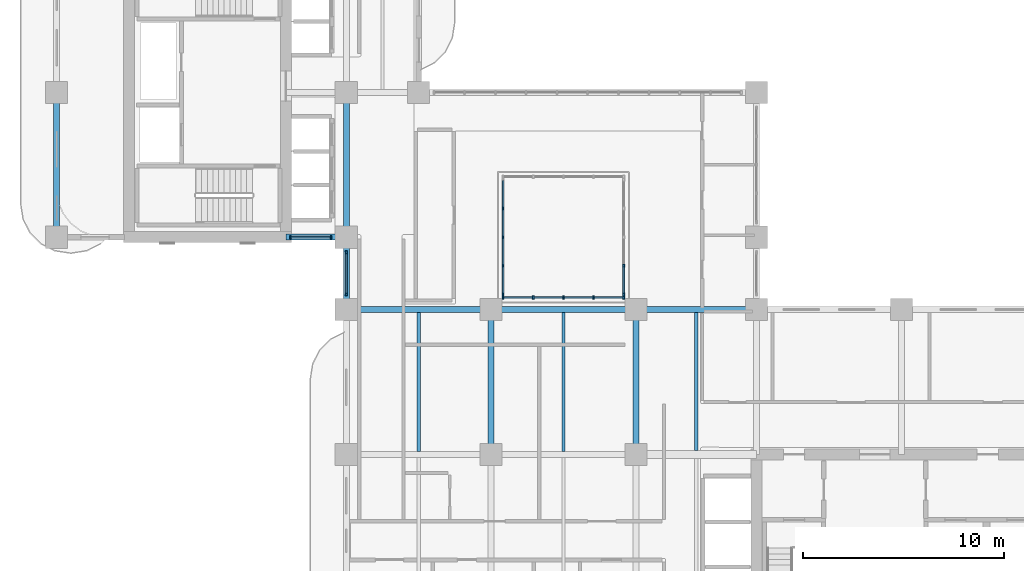
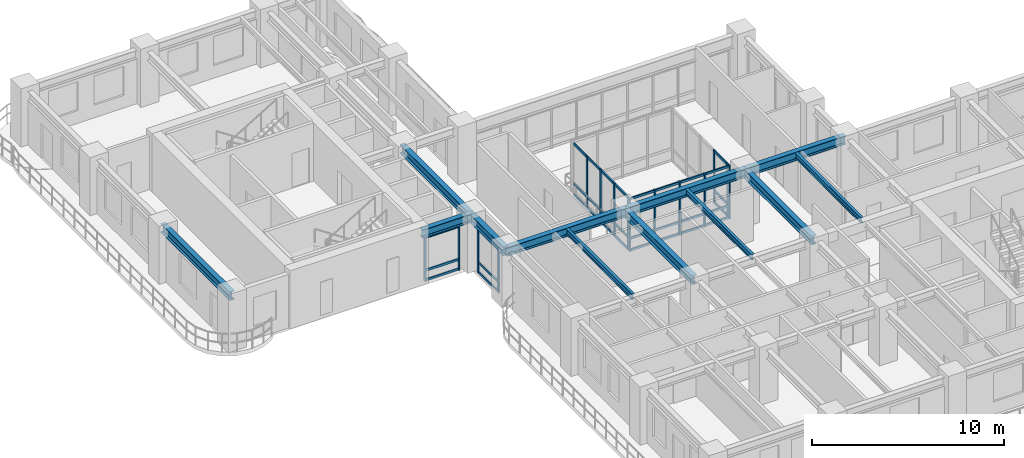
# One storey, part 2 of 19: 48 members, 12 beams, 5 elements without a shape of their own.
"""IFC4 building model written with IfcOpenShell, lengths in metres."""

from ifc_helpers import new_model, si_unit, derived_unit, direction, frame, origin, origin_2d, place, context, subcontext, project, spatial, rectangle, i_section, extrude, source, transform, mapped, material, layer, layer_set, material_profile, profile_set, type_object, type_shapes, element, aggregate, save


model = new_model("IFC4")

# Units and contexts
model_context = context("Model", 3, precision=1e-05, world=origin(), true_north=direction((0.0, 1.0)))
body_context = subcontext(model_context, "Body", "Model", "MODEL_VIEW")
ifc_project = project(units=[si_unit("LENGTHUNIT", "METRE"), si_unit("AREAUNIT", "SQUARE_METRE"), si_unit("VOLUMEUNIT", "CUBIC_METRE"), si_unit("PLANEANGLEUNIT", "RADIAN"), si_unit("MASSUNIT", "GRAM", prefix="KILO"), si_unit("THERMODYNAMICTEMPERATUREUNIT", "KELVIN"), si_unit("POWERUNIT", "WATT"), derived_unit("THERMALTRANSMITTANCEUNIT", [(si_unit("POWERUNIT", "WATT"), 1), (si_unit("AREAUNIT", "SQUARE_METRE"), -1), (si_unit("THERMODYNAMICTEMPERATUREUNIT", "KELVIN"), -1)])], contexts=[model_context])

# Site, building, storey
site_placement = place(None, origin())
site = spatial("IfcSite", under=ifc_project, at=site_placement, CompositionType="ELEMENT")
building_placement = place(site_placement, origin())
building = spatial("IfcBuilding", under=site, at=building_placement, Name="Zahravan Archway Hotel and Residences", CompositionType="ELEMENT")
storey_placement = place(building_placement, frame((0.0, 0.0, 102.699951171875)))
storey = spatial("IfcBuildingStorey", under=building, at=storey_placement, Name="L25", CompositionType="ELEMENT", Elevation=102.699951171875)

# Beams
ifc_material_1 = material(Name="Structural Steel S355JR", Category="steel")
ifc_material_profile_1 = material_profile(ifc_material_1, i_section(OverallWidth=0.300048828125, OverallDepth=0.550048828125, WebThickness=0.014892578125, FlangeThickness=0.029052734375, FilletRadius=0.027099609375, at=origin_2d()), Name="HEB 550", Category="steel")
ifc_profile_set_1 = profile_set([ifc_material_profile_1], Name="Structural Steel S355JR")
beam_type_1 = type_object("IfcBeamType", Name="BM-PRI-HEB550", PredefinedType="BEAM", material=ifc_profile_set_1)
shared_shape_1 = source(origin(), body_context, "Body", "SweptSolid", [
    extrude(i_section(OverallWidth=0.300048828125, OverallDepth=0.550048828125, WebThickness=0.014892578125, FlangeThickness=0.029052734375, FilletRadius=0.027099609375, at=origin_2d()), origin(), (0.0, 0.0, 1.0), 7.2001953125),
])
type_shapes(beam_type_1, [shared_shape_1])
for number, where, z_axis, x_axis, name in (
    (1, (14.39990234375, 21.60009765625, 3.125), (1.0, 0.0, 0.0), (0.0, 1.0, 0.0), "L25 Primary Girder EW-14"),
    (2, (21.60009765625, 14.39990234375, 3.125), (0.0, 1.0, 0.0), (-1.0, 0.0, 0.0), "L25 Primary Girder NS-42"),
    (3, (28.800048828125, 14.39990234375, 3.125), (0.0, 1.0, 0.0), (-1.0, 0.0, 0.0), "L25 Primary Girder NS-45"),
):
    element("IfcBeam", number, at=place(storey_placement, frame(where, z_axis=z_axis, x_axis=x_axis)), inside=storey, type_object=beam_type_1, Name=name, PredefinedType="BEAM", context=body_context, shape_type="MappedRepresentation", body=[
        mapped(shared_shape_1, transform((0.0, 0.0, 0.0), scale=1.0)),
    ])
shared_shape_2 = source(origin(), body_context, "Body", "SweptSolid", [
    extrude(i_section(OverallWidth=0.300048828125, OverallDepth=0.550048828125, WebThickness=0.014892578125, FlangeThickness=0.029052734375, FilletRadius=0.027099609375, at=origin_2d()), origin(), (0.0, 0.0, 1.0), 7.199951171875),
])
for number, where, z_axis, x_axis, name in (
    (4, (21.60009765625, 21.60009765625, 3.125), (1.0, 0.0, 0.0), (0.0, 1.0, 0.0), "L25 Primary Girder EW-15"),
    (5, (0.0, 25.199951171875, 3.125), (0.0, 1.0, 0.0), (-1.0, 0.0, 0.0), "L25 Primary Girder NS-29"),
    (6, (14.39990234375, 25.199951171875, 3.125), (0.0, 1.0, 0.0), (-1.0, 0.0, 0.0), "L25 Primary Girder NS-37"),
):
    element("IfcBeam", number, at=place(storey_placement, frame(where, z_axis=z_axis, x_axis=x_axis)), inside=storey, type_object=beam_type_1, Name=name, PredefinedType="BEAM", context=body_context, shape_type="MappedRepresentation", body=[
        mapped(shared_shape_2, transform((0.0, 0.0, 0.0), scale=1.0)),
    ])
shared_shape_3 = source(origin(), body_context, "Body", "SweptSolid", [
    extrude(i_section(OverallWidth=0.300048828125, OverallDepth=0.550048828125, WebThickness=0.014892578125, FlangeThickness=0.029052734375, FilletRadius=0.027099609375, at=origin_2d()), origin(), (0.0, 0.0, 1.0), 6.0),
])
beam_1_placement = place(storey_placement, frame((28.800048828125, 21.60009765625, 3.125), z_axis=(1.0, 0.0, 0.0), x_axis=(0.0, 1.0, 0.0)))
element("IfcBeam", 7, at=beam_1_placement, inside=storey, type_object=beam_type_1, Name="L25 Primary Girder EW-16", PredefinedType="BEAM", context=body_context, shape_type="MappedRepresentation", body=[
    mapped(shared_shape_3, transform((0.0, 0.0, 0.0), scale=1.0)),
])
shared_shape_4 = source(origin(), body_context, "Body", "SweptSolid", [
    extrude(i_section(OverallWidth=0.300048828125, OverallDepth=0.550048828125, WebThickness=0.014892578125, FlangeThickness=0.029052734375, FilletRadius=0.027099609375, at=origin_2d()), origin(), (0.0, 0.0, 1.0), 3.0),
])
beam_2_placement = place(storey_placement, frame((11.39990234375, 25.199951171875, 3.125), z_axis=(1.0, 0.0, 0.0), x_axis=(0.0, 1.0, 0.0)))
element("IfcBeam", 8, at=beam_2_placement, inside=storey, type_object=beam_type_1, Name="L25 Primary Girder EW-20", PredefinedType="BEAM", context=body_context, shape_type="MappedRepresentation", body=[
    mapped(shared_shape_4, transform((0.0, 0.0, 0.0), scale=1.0)),
])
shared_shape_5 = source(origin(), body_context, "Body", "SweptSolid", [
    extrude(i_section(OverallWidth=0.300048828125, OverallDepth=0.550048828125, WebThickness=0.014892578125, FlangeThickness=0.029052734375, FilletRadius=0.027099609375, at=origin_2d()), origin(), (0.0, 0.0, 1.0), 3.599853515625),
])
beam_3_placement = place(storey_placement, frame((14.39990234375, 21.60009765625, 3.125), z_axis=(0.0, 1.0, 0.0), x_axis=(-1.0, 0.0, 0.0)))
element("IfcBeam", 9, at=beam_3_placement, inside=storey, type_object=beam_type_1, Name="L25 Primary Girder NS-36", PredefinedType="BEAM", context=body_context, shape_type="MappedRepresentation", body=[
    mapped(shared_shape_5, transform((0.0, 0.0, 0.0), scale=1.0)),
])
ifc_material_profile_2 = material_profile(ifc_material_1, i_section(OverallWidth=0.169921875, OverallDepth=0.360107421875, WebThickness=0.008056640625, FlangeThickness=0.0126953125, FilletRadius=0.01806640625, at=origin_2d()), Name="IPE 360", Category="steel")
ifc_profile_set_2 = profile_set([ifc_material_profile_2], Name="Structural Steel S355JR")
beam_type_2 = type_object("IfcBeamType", Name="BM-JST-IPE360", PredefinedType="JOIST", material=ifc_profile_set_2)
shared_shape_6 = source(origin(), body_context, "Body", "SweptSolid", [
    extrude(i_section(OverallWidth=0.169921875, OverallDepth=0.360107421875, WebThickness=0.008056640625, FlangeThickness=0.0126953125, FilletRadius=0.01806640625, at=origin_2d()), origin(), (0.0, 0.0, 1.0), 6.85400390625),
])
beam_4_placement = place(storey_placement, frame((31.800048828125, 14.597900390625, 3.219970703125), z_axis=(0.0, 1.0, 0.0), x_axis=(-1.0, 0.0, 0.0)))
element("IfcBeam", 10, at=beam_4_placement, inside=storey, type_object=beam_type_2, Name="L25 Composite Floor Joist 09", PredefinedType="JOIST", context=body_context, shape_type="MappedRepresentation", body=[
    mapped(shared_shape_6, transform((0.0, 0.0, 0.0), scale=1.0)),
])
shared_shape_7 = source(origin(), body_context, "Body", "SweptSolid", [
    extrude(i_section(OverallWidth=0.169921875, OverallDepth=0.360107421875, WebThickness=0.008056640625, FlangeThickness=0.0126953125, FilletRadius=0.01806640625, at=origin_2d()), origin(), (0.0, 0.0, 1.0), 6.90380859375),
])
for number, where, z_axis, x_axis, name in (
    (11, (18.0, 14.548095703125, 3.219970703125), (0.0, 1.0, 0.0), (-1.0, 0.0, 0.0), "L25 Composite Floor Joist 10"),
    (12, (25.199951171875, 14.548095703125, 3.219970703125), (0.0, 1.0, 0.0), (-1.0, 0.0, 0.0), "L25 Composite Floor Joist 11"),
):
    element("IfcBeam", number, at=place(storey_placement, frame(where, z_axis=z_axis, x_axis=x_axis)), inside=storey, type_object=beam_type_2, Name=name, PredefinedType="JOIST", context=body_context, shape_type="MappedRepresentation", body=[
        mapped(shared_shape_7, transform((0.0, 0.0, 0.0), scale=1.0)),
    ])

# Curtain wall, members
ifc_material_2 = material(Name="Bronze-Anodized Unitised Aluminium & Low-E Glass", Category="aluminium")
ifc_layer = layer(ifc_material_2, 0.179931640625, Name="Bronze-Anodized Unitised Aluminium & Low-E Glass", Category="aluminium")
ifc_layer_set = layer_set([ifc_layer], Name="Bronze-Anodized Unitised Aluminium & Low-E Glass")
curtain_wall_type = type_object("IfcCurtainWallType", Name="CW-ATR-GLAZ", PredefinedType="NOTDEFINED", material=ifc_layer_set)
curtain_wall_1_placement = place(storey_placement, origin())
curtain_wall_1 = element("IfcCurtainWall", 13, at=curtain_wall_1_placement, inside=storey, type_object=curtain_wall_type, Name="L25 Curtain Wall CW-L25-WB-SE-1", PredefinedType="NOTDEFINED")
ifc_material_3 = material(Name="Bronze-Anodized Extruded Aluminium", Category="aluminium")
ifc_material_profile_3 = material_profile(ifc_material_3, rectangle(XDim=0.080078125, YDim=0.139892578125, at=origin_2d()), Name="TRN 80x140", Category="aluminium")
ifc_profile_set_3 = profile_set([ifc_material_profile_3], Name="Bronze-Anodized Extruded Aluminium")
member_type_1 = type_object("IfcMemberType", Name="CWM-TRN-140", PredefinedType="USERDEFINED", material=ifc_profile_set_3)
shared_shape_8 = source(origin(), body_context, "Body", "SweptSolid", [
    extrude(rectangle(XDim=0.080078125, YDim=0.139892578125, at=origin_2d()), origin(), (0.0, 0.0, 1.0), 1.940185546875),
])
member_1_placement = place(storey_placement, frame((11.659912109375, 25.199951171875, 0.070068359375), z_axis=(1.0, 0.0, 0.0), x_axis=(0.0, 1.0, 0.0)))
member_1 = element("IfcMember", 14, at=member_1_placement, type_object=member_type_1, Name="CW-L25-WB-SE-1 Transom 0-1", ObjectType="TRANSOM", PredefinedType="USERDEFINED", context=body_context, shape_type="MappedRepresentation", body=[
    mapped(shared_shape_8, transform((0.0, 0.0, 0.0), scale=1.0)),
])
member_2_placement = place(storey_placement, frame((11.659912109375, 25.199951171875, 0.680419921875), z_axis=(1.0, 0.0, 0.0), x_axis=(0.0, 1.0, 0.0)))
member_2 = element("IfcMember", 15, at=member_2_placement, type_object=member_type_1, Name="CW-L25-WB-SE-1 Transom 0-2", ObjectType="TRANSOM", PredefinedType="USERDEFINED", context=body_context, shape_type="MappedRepresentation", body=[
    mapped(shared_shape_8, transform((0.0, 0.0, 0.0), scale=1.0)),
])
member_3_placement = place(storey_placement, frame((11.659912109375, 25.199951171875, 2.76513671875), z_axis=(1.0, 0.0, 0.0), x_axis=(0.0, 1.0, 0.0)))
member_3 = element("IfcMember", 16, at=member_3_placement, type_object=member_type_1, Name="CW-L25-WB-SE-1 Transom 0-3", ObjectType="TRANSOM", PredefinedType="USERDEFINED", context=body_context, shape_type="MappedRepresentation", body=[
    mapped(shared_shape_8, transform((0.0, 0.0, 0.0), scale=1.0)),
])

curtain_wall_2_placement = place(storey_placement, origin())
curtain_wall_2 = element("IfcCurtainWall", 17, at=curtain_wall_2_placement, inside=storey, type_object=curtain_wall_type, Name="L25 Curtain Wall CW-L25-WA-WLU-1", PredefinedType="NOTDEFINED")
shared_shape_9 = source(origin(), body_context, "Body", "SweptSolid", [
    extrude(rectangle(XDim=0.080078125, YDim=0.139892578125, at=origin_2d()), origin(), (0.0, 0.0, 1.0), 2.0),
])
member_4_placement = place(storey_placement, frame((14.39990234375, 22.39990234375, 0.070068359375), z_axis=(0.0, 1.0, 0.0), x_axis=(-1.0, 0.0, 0.0)))
member_4 = element("IfcMember", 18, at=member_4_placement, type_object=member_type_1, Name="CW-L25-WA-WLU-1 Transom 0-1", ObjectType="TRANSOM", PredefinedType="USERDEFINED", context=body_context, shape_type="MappedRepresentation", body=[
    mapped(shared_shape_9, transform((0.0, 0.0, 0.0), scale=1.0)),
])
member_5_placement = place(storey_placement, frame((14.39990234375, 22.39990234375, 0.680419921875), z_axis=(0.0, 1.0, 0.0), x_axis=(-1.0, 0.0, 0.0)))
member_5 = element("IfcMember", 19, at=member_5_placement, type_object=member_type_1, Name="CW-L25-WA-WLU-1 Transom 0-2", ObjectType="TRANSOM", PredefinedType="USERDEFINED", context=body_context, shape_type="MappedRepresentation", body=[
    mapped(shared_shape_9, transform((0.0, 0.0, 0.0), scale=1.0)),
])
member_6_placement = place(storey_placement, frame((14.39990234375, 22.39990234375, 2.76513671875), z_axis=(0.0, 1.0, 0.0), x_axis=(-1.0, 0.0, 0.0)))
member_6 = element("IfcMember", 20, at=member_6_placement, type_object=member_type_1, Name="CW-L25-WA-WLU-1 Transom 0-3", ObjectType="TRANSOM", PredefinedType="USERDEFINED", context=body_context, shape_type="MappedRepresentation", body=[
    mapped(shared_shape_9, transform((0.0, 0.0, 0.0), scale=1.0)),
])

curtain_wall_3_placement = place(storey_placement, origin())
curtain_wall_3 = element("IfcCurtainWall", 21, at=curtain_wall_3_placement, inside=storey, type_object=curtain_wall_type, Name="L25 Curtain Wall CW-ATR-L25-S-1", PredefinedType="NOTDEFINED")
shared_shape_10 = source(origin(), body_context, "Body", "SweptSolid", [
    extrude(rectangle(XDim=0.080078125, YDim=0.139892578125, at=origin_2d()), origin(), (0.0, 0.0, 1.0), 1.419921875),
])
member_7_placement = place(storey_placement, frame((22.239990234375, 22.199951171875, 0.070068359375), z_axis=(1.0, 0.0, 0.0), x_axis=(0.0, 1.0, 0.0)))
member_7 = element("IfcMember", 22, at=member_7_placement, type_object=member_type_1, Name="CW-ATR-L25-S-1 Transom 0-1", ObjectType="TRANSOM", PredefinedType="USERDEFINED", context=body_context, shape_type="MappedRepresentation", body=[
    mapped(shared_shape_10, transform((0.0, 0.0, 0.0), scale=1.0)),
])
member_8_placement = place(storey_placement, frame((22.239990234375, 22.199951171875, 0.816162109375), z_axis=(1.0, 0.0, 0.0), x_axis=(0.0, 1.0, 0.0)))
member_8 = element("IfcMember", 23, at=member_8_placement, type_object=member_type_1, Name="CW-ATR-L25-S-1 Transom 0-2", ObjectType="TRANSOM", PredefinedType="USERDEFINED", context=body_context, shape_type="MappedRepresentation", body=[
    mapped(shared_shape_10, transform((0.0, 0.0, 0.0), scale=1.0)),
])
member_9_placement = place(storey_placement, frame((22.239990234375, 22.199951171875, 3.330078125), z_axis=(1.0, 0.0, 0.0), x_axis=(0.0, 1.0, 0.0)))
member_9 = element("IfcMember", 24, at=member_9_placement, type_object=member_type_1, Name="CW-ATR-L25-S-1 Transom 0-3", ObjectType="TRANSOM", PredefinedType="USERDEFINED", context=body_context, shape_type="MappedRepresentation", body=[
    mapped(shared_shape_10, transform((0.0, 0.0, 0.0), scale=1.0)),
])
member_10_placement = place(storey_placement, frame((23.739990234375, 22.199951171875, 0.070068359375), z_axis=(1.0, 0.0, 0.0), x_axis=(0.0, 1.0, 0.0)))
member_10 = element("IfcMember", 25, at=member_10_placement, type_object=member_type_1, Name="CW-ATR-L25-S-1 Transom 1-1", ObjectType="TRANSOM", PredefinedType="USERDEFINED", context=body_context, shape_type="MappedRepresentation", body=[
    mapped(shared_shape_10, transform((0.0, 0.0, 0.0), scale=1.0)),
])
member_11_placement = place(storey_placement, frame((23.739990234375, 22.199951171875, 0.816162109375), z_axis=(1.0, 0.0, 0.0), x_axis=(0.0, 1.0, 0.0)))
member_11 = element("IfcMember", 26, at=member_11_placement, type_object=member_type_1, Name="CW-ATR-L25-S-1 Transom 1-2", ObjectType="TRANSOM", PredefinedType="USERDEFINED", context=body_context, shape_type="MappedRepresentation", body=[
    mapped(shared_shape_10, transform((0.0, 0.0, 0.0), scale=1.0)),
])
member_12_placement = place(storey_placement, frame((23.739990234375, 22.199951171875, 3.330078125), z_axis=(1.0, 0.0, 0.0), x_axis=(0.0, 1.0, 0.0)))
member_12 = element("IfcMember", 27, at=member_12_placement, type_object=member_type_1, Name="CW-ATR-L25-S-1 Transom 1-3", ObjectType="TRANSOM", PredefinedType="USERDEFINED", context=body_context, shape_type="MappedRepresentation", body=[
    mapped(shared_shape_10, transform((0.0, 0.0, 0.0), scale=1.0)),
])
member_13_placement = place(storey_placement, frame((25.239990234375, 22.199951171875, 0.070068359375), z_axis=(1.0, 0.0, 0.0), x_axis=(0.0, 1.0, 0.0)))
member_13 = element("IfcMember", 28, at=member_13_placement, type_object=member_type_1, Name="CW-ATR-L25-S-1 Transom 2-1", ObjectType="TRANSOM", PredefinedType="USERDEFINED", context=body_context, shape_type="MappedRepresentation", body=[
    mapped(shared_shape_10, transform((0.0, 0.0, 0.0), scale=1.0)),
])
member_14_placement = place(storey_placement, frame((25.239990234375, 22.199951171875, 0.816162109375), z_axis=(1.0, 0.0, 0.0), x_axis=(0.0, 1.0, 0.0)))
member_14 = element("IfcMember", 29, at=member_14_placement, type_object=member_type_1, Name="CW-ATR-L25-S-1 Transom 2-2", ObjectType="TRANSOM", PredefinedType="USERDEFINED", context=body_context, shape_type="MappedRepresentation", body=[
    mapped(shared_shape_10, transform((0.0, 0.0, 0.0), scale=1.0)),
])
member_15_placement = place(storey_placement, frame((25.239990234375, 22.199951171875, 3.330078125), z_axis=(1.0, 0.0, 0.0), x_axis=(0.0, 1.0, 0.0)))
member_15 = element("IfcMember", 30, at=member_15_placement, type_object=member_type_1, Name="CW-ATR-L25-S-1 Transom 2-3", ObjectType="TRANSOM", PredefinedType="USERDEFINED", context=body_context, shape_type="MappedRepresentation", body=[
    mapped(shared_shape_10, transform((0.0, 0.0, 0.0), scale=1.0)),
])
member_16_placement = place(storey_placement, frame((26.739990234375, 22.199951171875, 0.070068359375), z_axis=(1.0, 0.0, 0.0), x_axis=(0.0, 1.0, 0.0)))
member_16 = element("IfcMember", 31, at=member_16_placement, type_object=member_type_1, Name="CW-ATR-L25-S-1 Transom 3-1", ObjectType="TRANSOM", PredefinedType="USERDEFINED", context=body_context, shape_type="MappedRepresentation", body=[
    mapped(shared_shape_10, transform((0.0, 0.0, 0.0), scale=1.0)),
])
member_17_placement = place(storey_placement, frame((26.739990234375, 22.199951171875, 0.816162109375), z_axis=(1.0, 0.0, 0.0), x_axis=(0.0, 1.0, 0.0)))
member_17 = element("IfcMember", 32, at=member_17_placement, type_object=member_type_1, Name="CW-ATR-L25-S-1 Transom 3-2", ObjectType="TRANSOM", PredefinedType="USERDEFINED", context=body_context, shape_type="MappedRepresentation", body=[
    mapped(shared_shape_10, transform((0.0, 0.0, 0.0), scale=1.0)),
])
member_18_placement = place(storey_placement, frame((26.739990234375, 22.199951171875, 3.330078125), z_axis=(1.0, 0.0, 0.0), x_axis=(0.0, 1.0, 0.0)))
member_18 = element("IfcMember", 33, at=member_18_placement, type_object=member_type_1, Name="CW-ATR-L25-S-1 Transom 3-3", ObjectType="TRANSOM", PredefinedType="USERDEFINED", context=body_context, shape_type="MappedRepresentation", body=[
    mapped(shared_shape_10, transform((0.0, 0.0, 0.0), scale=1.0)),
])

curtain_wall_4_placement = place(storey_placement, origin())
curtain_wall_4 = element("IfcCurtainWall", 34, at=curtain_wall_4_placement, inside=storey, type_object=curtain_wall_type, Name="L25 Curtain Wall CW-ATR-L25-W-1", PredefinedType="NOTDEFINED")
shared_shape_11 = source(origin(), body_context, "Body", "SweptSolid", [
    extrude(rectangle(XDim=0.080078125, YDim=0.139892578125, at=origin_2d()), origin(), (0.0, 0.0, 1.0), 1.34521484375),
])
member_19_placement = place(storey_placement, frame((22.199951171875, 22.389892578125, 0.070068359375), z_axis=(0.0, 1.0, 0.0), x_axis=(-1.0, 0.0, 0.0)))
member_19 = element("IfcMember", 35, at=member_19_placement, type_object=member_type_1, Name="CW-ATR-L25-W-1 Transom 0-1", ObjectType="TRANSOM", PredefinedType="USERDEFINED", context=body_context, shape_type="MappedRepresentation", body=[
    mapped(shared_shape_11, transform((0.0, 0.0, 0.0), scale=1.0)),
])
member_20_placement = place(storey_placement, frame((22.199951171875, 22.389892578125, 0.816162109375), z_axis=(0.0, 1.0, 0.0), x_axis=(-1.0, 0.0, 0.0)))
member_20 = element("IfcMember", 36, at=member_20_placement, type_object=member_type_1, Name="CW-ATR-L25-W-1 Transom 0-2", ObjectType="TRANSOM", PredefinedType="USERDEFINED", context=body_context, shape_type="MappedRepresentation", body=[
    mapped(shared_shape_11, transform((0.0, 0.0, 0.0), scale=1.0)),
])
member_21_placement = place(storey_placement, frame((22.199951171875, 22.389892578125, 3.330078125), z_axis=(0.0, 1.0, 0.0), x_axis=(-1.0, 0.0, 0.0)))
member_21 = element("IfcMember", 37, at=member_21_placement, type_object=member_type_1, Name="CW-ATR-L25-W-1 Transom 0-3", ObjectType="TRANSOM", PredefinedType="USERDEFINED", context=body_context, shape_type="MappedRepresentation", body=[
    mapped(shared_shape_11, transform((0.0, 0.0, 0.0), scale=1.0)),
])

curtain_wall_5_placement = place(storey_placement, origin())
curtain_wall_5 = element("IfcCurtainWall", 38, at=curtain_wall_5_placement, inside=storey, type_object=curtain_wall_type, Name="L25 Curtain Wall CW-ATR-L25-E-1", PredefinedType="NOTDEFINED")
member_22_placement = place(storey_placement, frame((28.199951171875, 22.389892578125, 0.070068359375), z_axis=(0.0, 1.0, 0.0), x_axis=(-1.0, 0.0, 0.0)))
member_22 = element("IfcMember", 39, at=member_22_placement, type_object=member_type_1, Name="CW-ATR-L25-E-1 Transom 0-1", ObjectType="TRANSOM", PredefinedType="USERDEFINED", context=body_context, shape_type="MappedRepresentation", body=[
    mapped(shared_shape_11, transform((0.0, 0.0, 0.0), scale=1.0)),
])
member_23_placement = place(storey_placement, frame((28.199951171875, 22.389892578125, 0.816162109375), z_axis=(0.0, 1.0, 0.0), x_axis=(-1.0, 0.0, 0.0)))
member_23 = element("IfcMember", 40, at=member_23_placement, type_object=member_type_1, Name="CW-ATR-L25-E-1 Transom 0-2", ObjectType="TRANSOM", PredefinedType="USERDEFINED", context=body_context, shape_type="MappedRepresentation", body=[
    mapped(shared_shape_11, transform((0.0, 0.0, 0.0), scale=1.0)),
])
member_24_placement = place(storey_placement, frame((28.199951171875, 22.389892578125, 3.330078125), z_axis=(0.0, 1.0, 0.0), x_axis=(-1.0, 0.0, 0.0)))
member_24 = element("IfcMember", 41, at=member_24_placement, type_object=member_type_1, Name="CW-ATR-L25-E-1 Transom 0-3", ObjectType="TRANSOM", PredefinedType="USERDEFINED", context=body_context, shape_type="MappedRepresentation", body=[
    mapped(shared_shape_11, transform((0.0, 0.0, 0.0), scale=1.0)),
])

# Member
shared_shape_12 = source(origin(), body_context, "Body", "SweptSolid", [
    extrude(rectangle(XDim=0.080078125, YDim=0.139892578125, at=origin_2d()), origin(), (0.0, 0.0, 1.0), 1.344970703125),
])
member_25_placement = place(storey_placement, frame((22.199951171875, 23.81494140625, 0.070068359375), z_axis=(0.0, 1.0, 0.0), x_axis=(-1.0, 0.0, 0.0)))
member_25 = element("IfcMember", 42, at=member_25_placement, type_object=member_type_1, Name="CW-ATR-L25-W-1 Transom 1-1", ObjectType="TRANSOM", PredefinedType="USERDEFINED", context=body_context, shape_type="MappedRepresentation", body=[
    mapped(shared_shape_12, transform((0.0, 0.0, 0.0), scale=1.0)),
])

member_26_placement = place(storey_placement, frame((22.199951171875, 23.81494140625, 0.816162109375), z_axis=(0.0, 1.0, 0.0), x_axis=(-1.0, 0.0, 0.0)))
member_26 = element("IfcMember", 43, at=member_26_placement, type_object=member_type_1, Name="CW-ATR-L25-W-1 Transom 1-2", ObjectType="TRANSOM", PredefinedType="USERDEFINED", context=body_context, shape_type="MappedRepresentation", body=[
    mapped(shared_shape_12, transform((0.0, 0.0, 0.0), scale=1.0)),
])

member_27_placement = place(storey_placement, frame((22.199951171875, 23.81494140625, 3.330078125), z_axis=(0.0, 1.0, 0.0), x_axis=(-1.0, 0.0, 0.0)))
member_27 = element("IfcMember", 44, at=member_27_placement, type_object=member_type_1, Name="CW-ATR-L25-W-1 Transom 1-3", ObjectType="TRANSOM", PredefinedType="USERDEFINED", context=body_context, shape_type="MappedRepresentation", body=[
    mapped(shared_shape_12, transform((0.0, 0.0, 0.0), scale=1.0)),
])

member_28_placement = place(storey_placement, frame((22.199951171875, 25.239990234375, 0.070068359375), z_axis=(0.0, 1.0, 0.0), x_axis=(-1.0, 0.0, 0.0)))
member_28 = element("IfcMember", 45, at=member_28_placement, type_object=member_type_1, Name="CW-ATR-L25-W-1 Transom 2-1", ObjectType="TRANSOM", PredefinedType="USERDEFINED", context=body_context, shape_type="MappedRepresentation", body=[
    mapped(shared_shape_12, transform((0.0, 0.0, 0.0), scale=1.0)),
])

member_29_placement = place(storey_placement, frame((22.199951171875, 25.239990234375, 0.816162109375), z_axis=(0.0, 1.0, 0.0), x_axis=(-1.0, 0.0, 0.0)))
member_29 = element("IfcMember", 46, at=member_29_placement, type_object=member_type_1, Name="CW-ATR-L25-W-1 Transom 2-2", ObjectType="TRANSOM", PredefinedType="USERDEFINED", context=body_context, shape_type="MappedRepresentation", body=[
    mapped(shared_shape_12, transform((0.0, 0.0, 0.0), scale=1.0)),
])

member_30_placement = place(storey_placement, frame((22.199951171875, 25.239990234375, 3.330078125), z_axis=(0.0, 1.0, 0.0), x_axis=(-1.0, 0.0, 0.0)))
member_30 = element("IfcMember", 47, at=member_30_placement, type_object=member_type_1, Name="CW-ATR-L25-W-1 Transom 2-3", ObjectType="TRANSOM", PredefinedType="USERDEFINED", context=body_context, shape_type="MappedRepresentation", body=[
    mapped(shared_shape_12, transform((0.0, 0.0, 0.0), scale=1.0)),
])

member_31_placement = place(storey_placement, frame((22.199951171875, 26.6650390625, 0.070068359375), z_axis=(0.0, 1.0, 0.0), x_axis=(-1.0, 0.0, 0.0)))
member_31 = element("IfcMember", 48, at=member_31_placement, type_object=member_type_1, Name="CW-ATR-L25-W-1 Transom 3-1", ObjectType="TRANSOM", PredefinedType="USERDEFINED", context=body_context, shape_type="MappedRepresentation", body=[
    mapped(shared_shape_12, transform((0.0, 0.0, 0.0), scale=1.0)),
])

member_32_placement = place(storey_placement, frame((22.199951171875, 26.6650390625, 0.816162109375), z_axis=(0.0, 1.0, 0.0), x_axis=(-1.0, 0.0, 0.0)))
member_32 = element("IfcMember", 49, at=member_32_placement, type_object=member_type_1, Name="CW-ATR-L25-W-1 Transom 3-2", ObjectType="TRANSOM", PredefinedType="USERDEFINED", context=body_context, shape_type="MappedRepresentation", body=[
    mapped(shared_shape_12, transform((0.0, 0.0, 0.0), scale=1.0)),
])

member_33_placement = place(storey_placement, frame((22.199951171875, 26.6650390625, 3.330078125), z_axis=(0.0, 1.0, 0.0), x_axis=(-1.0, 0.0, 0.0)))
member_33 = element("IfcMember", 50, at=member_33_placement, type_object=member_type_1, Name="CW-ATR-L25-W-1 Transom 3-3", ObjectType="TRANSOM", PredefinedType="USERDEFINED", context=body_context, shape_type="MappedRepresentation", body=[
    mapped(shared_shape_12, transform((0.0, 0.0, 0.0), scale=1.0)),
])

ifc_material_profile_4 = material_profile(ifc_material_3, rectangle(XDim=0.080078125, YDim=0.159912109375, at=origin_2d()), Name="MUL 80x160", Category="aluminium")
ifc_profile_set_4 = profile_set([ifc_material_profile_4], Name="Bronze-Anodized Extruded Aluminium")
member_type_2 = type_object("IfcMemberType", Name="CWM-MUL-160", PredefinedType="MULLION", material=ifc_profile_set_4)
shared_shape_13 = source(origin(), body_context, "Body", "SweptSolid", [
    extrude(rectangle(XDim=0.080078125, YDim=0.159912109375, at=origin_2d()), origin(), (0.0, 0.0, 1.0), 2.8349609375),
])
member_34_placement = place(storey_placement, frame((14.39990234375, 22.360107421875, 0.0), z_axis=(0.0, 0.0, 1.0), x_axis=(1.0, 0.0, 0.0)))
member_34 = element("IfcMember", 51, at=member_34_placement, type_object=member_type_2, Name="CW-L25-WA-WLU-1 Mullion 0", PredefinedType="MULLION", context=body_context, shape_type="MappedRepresentation", body=[
    mapped(shared_shape_13, transform((0.0, 0.0, 0.0), scale=1.0)),
])

member_35_placement = place(storey_placement, frame((14.39990234375, 24.43994140625, 0.0), z_axis=(0.0, 0.0, 1.0), x_axis=(1.0, 0.0, 0.0)))
member_35 = element("IfcMember", 52, at=member_35_placement, type_object=member_type_2, Name="CW-L25-WA-WLU-1 Mullion 1", PredefinedType="MULLION", context=body_context, shape_type="MappedRepresentation", body=[
    mapped(shared_shape_13, transform((0.0, 0.0, 0.0), scale=1.0)),
])

aggregate(curtain_wall_2, [member_34, member_35, member_4, member_5, member_6])

member_36_placement = place(storey_placement, frame((11.6201171875, 25.199951171875, 0.0), z_axis=(0.0, 0.0, 1.0), x_axis=(1.0, 0.0, 0.0)))
member_36 = element("IfcMember", 53, at=member_36_placement, type_object=member_type_2, Name="CW-L25-WB-SE-1 Mullion 0", PredefinedType="MULLION", context=body_context, shape_type="MappedRepresentation", body=[
    mapped(shared_shape_13, transform((0.0, 0.0, 0.0), scale=1.0)),
])

member_37_placement = place(storey_placement, frame((13.639892578125, 25.199951171875, 0.0), z_axis=(0.0, 0.0, 1.0), x_axis=(1.0, 0.0, 0.0)))
member_37 = element("IfcMember", 54, at=member_37_placement, type_object=member_type_2, Name="CW-L25-WB-SE-1 Mullion 1", PredefinedType="MULLION", context=body_context, shape_type="MappedRepresentation", body=[
    mapped(shared_shape_13, transform((0.0, 0.0, 0.0), scale=1.0)),
])

aggregate(curtain_wall_1, [member_36, member_37, member_1, member_2, member_3])

shared_shape_14 = source(origin(), body_context, "Body", "SweptSolid", [
    extrude(rectangle(XDim=0.080078125, YDim=0.159912109375, at=origin_2d()), origin(), (0.0, 0.0, 1.0), 3.400146484375),
])
member_38_placement = place(storey_placement, frame((22.199951171875, 22.199951171875, 0.0), z_axis=(0.0, 0.0, 1.0), x_axis=(1.0, 0.0, 0.0)))
member_38 = element("IfcMember", 55, at=member_38_placement, type_object=member_type_2, Name="CW-ATR-L25-S-1 Mullion 0", PredefinedType="MULLION", context=body_context, shape_type="MappedRepresentation", body=[
    mapped(shared_shape_14, transform((0.0, 0.0, 0.0), scale=1.0)),
])

member_39_placement = place(storey_placement, frame((23.699951171875, 22.199951171875, 0.0), z_axis=(0.0, 0.0, 1.0), x_axis=(1.0, 0.0, 0.0)))
member_39 = element("IfcMember", 56, at=member_39_placement, type_object=member_type_2, Name="CW-ATR-L25-S-1 Mullion 1", PredefinedType="MULLION", context=body_context, shape_type="MappedRepresentation", body=[
    mapped(shared_shape_14, transform((0.0, 0.0, 0.0), scale=1.0)),
])

member_40_placement = place(storey_placement, frame((25.199951171875, 22.199951171875, 0.0), z_axis=(0.0, 0.0, 1.0), x_axis=(1.0, 0.0, 0.0)))
member_40 = element("IfcMember", 57, at=member_40_placement, type_object=member_type_2, Name="CW-ATR-L25-S-1 Mullion 2", PredefinedType="MULLION", context=body_context, shape_type="MappedRepresentation", body=[
    mapped(shared_shape_14, transform((0.0, 0.0, 0.0), scale=1.0)),
])

member_41_placement = place(storey_placement, frame((26.699951171875, 22.199951171875, 0.0), z_axis=(0.0, 0.0, 1.0), x_axis=(1.0, 0.0, 0.0)))
member_41 = element("IfcMember", 58, at=member_41_placement, type_object=member_type_2, Name="CW-ATR-L25-S-1 Mullion 3", PredefinedType="MULLION", context=body_context, shape_type="MappedRepresentation", body=[
    mapped(shared_shape_14, transform((0.0, 0.0, 0.0), scale=1.0)),
])

member_42_placement = place(storey_placement, frame((28.199951171875, 22.199951171875, 0.0), z_axis=(0.0, 0.0, 1.0), x_axis=(1.0, 0.0, 0.0)))
member_42 = element("IfcMember", 59, at=member_42_placement, type_object=member_type_2, Name="CW-ATR-L25-S-1 Mullion 4", PredefinedType="MULLION", context=body_context, shape_type="MappedRepresentation", body=[
    mapped(shared_shape_14, transform((0.0, 0.0, 0.0), scale=1.0)),
])

aggregate(curtain_wall_3, [member_38, member_39, member_40, member_41, member_42, member_7, member_8, member_9, member_10, member_11, member_12, member_13, member_14, member_15, member_16, member_17, member_18])

member_43_placement = place(storey_placement, frame((22.199951171875, 22.35009765625, 0.0), z_axis=(0.0, 0.0, 1.0), x_axis=(1.0, 0.0, 0.0)))
member_43 = element("IfcMember", 60, at=member_43_placement, type_object=member_type_2, Name="CW-ATR-L25-W-1 Mullion 0", PredefinedType="MULLION", context=body_context, shape_type="MappedRepresentation", body=[
    mapped(shared_shape_14, transform((0.0, 0.0, 0.0), scale=1.0)),
])

member_44_placement = place(storey_placement, frame((22.199951171875, 23.77490234375, 0.0), z_axis=(0.0, 0.0, 1.0), x_axis=(1.0, 0.0, 0.0)))
member_44 = element("IfcMember", 61, at=member_44_placement, type_object=member_type_2, Name="CW-ATR-L25-W-1 Mullion 1", PredefinedType="MULLION", context=body_context, shape_type="MappedRepresentation", body=[
    mapped(shared_shape_14, transform((0.0, 0.0, 0.0), scale=1.0)),
])

member_45_placement = place(storey_placement, frame((22.199951171875, 25.199951171875, 0.0), z_axis=(0.0, 0.0, 1.0), x_axis=(1.0, 0.0, 0.0)))
member_45 = element("IfcMember", 62, at=member_45_placement, type_object=member_type_2, Name="CW-ATR-L25-W-1 Mullion 2", PredefinedType="MULLION", context=body_context, shape_type="MappedRepresentation", body=[
    mapped(shared_shape_14, transform((0.0, 0.0, 0.0), scale=1.0)),
])

member_46_placement = place(storey_placement, frame((22.199951171875, 26.625, 0.0), z_axis=(0.0, 0.0, 1.0), x_axis=(1.0, 0.0, 0.0)))
member_46 = element("IfcMember", 63, at=member_46_placement, type_object=member_type_2, Name="CW-ATR-L25-W-1 Mullion 3", PredefinedType="MULLION", context=body_context, shape_type="MappedRepresentation", body=[
    mapped(shared_shape_14, transform((0.0, 0.0, 0.0), scale=1.0)),
])

aggregate(curtain_wall_4, [member_43, member_44, member_45, member_46, member_19, member_20, member_21, member_25, member_26, member_27, member_28, member_29, member_30, member_31, member_32, member_33])

member_47_placement = place(storey_placement, frame((28.199951171875, 22.35009765625, 0.0), z_axis=(0.0, 0.0, 1.0), x_axis=(1.0, 0.0, 0.0)))
member_47 = element("IfcMember", 64, at=member_47_placement, type_object=member_type_2, Name="CW-ATR-L25-E-1 Mullion 0", PredefinedType="MULLION", context=body_context, shape_type="MappedRepresentation", body=[
    mapped(shared_shape_14, transform((0.0, 0.0, 0.0), scale=1.0)),
])

member_48_placement = place(storey_placement, frame((28.199951171875, 23.77490234375, 0.0), z_axis=(0.0, 0.0, 1.0), x_axis=(1.0, 0.0, 0.0)))
member_48 = element("IfcMember", 65, at=member_48_placement, type_object=member_type_2, Name="CW-ATR-L25-E-1 Mullion 1", PredefinedType="MULLION", context=body_context, shape_type="MappedRepresentation", body=[
    mapped(shared_shape_14, transform((0.0, 0.0, 0.0), scale=1.0)),
])

aggregate(curtain_wall_5, [member_47, member_48, member_22, member_23, member_24])

save(model, "model.ifc")
